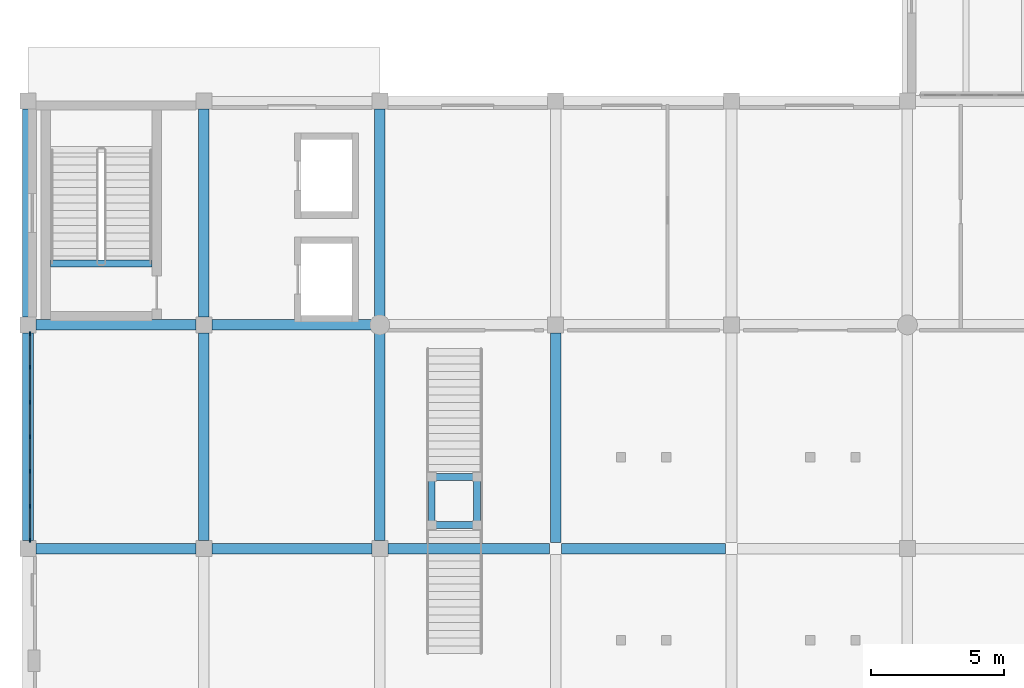
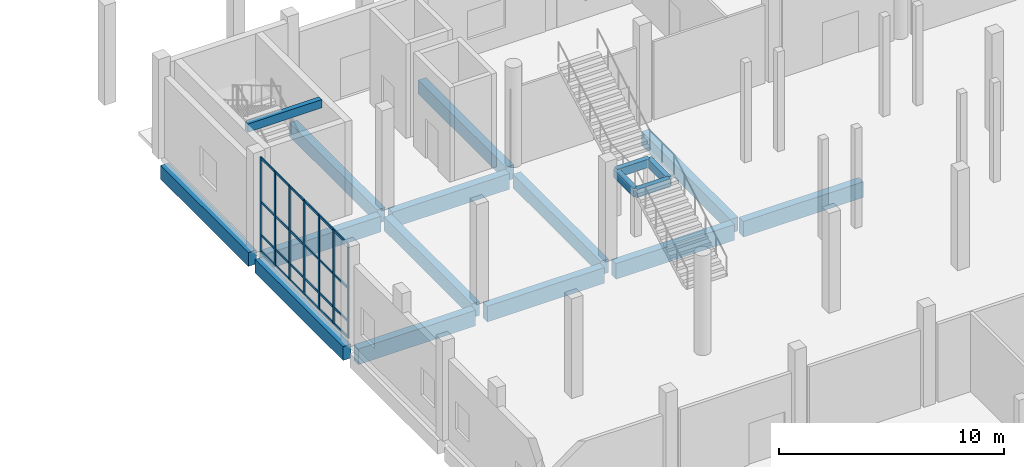
# One storey, part 6 of 64: 31 members, 18 beams, 1 element without a shape of its own.
"""IFC4 building model written with IfcOpenShell, lengths in metres."""

from ifc_helpers import new_model, si_unit, direction, frame, origin, origin_2d, place, context, subcontext, project, spatial, rectangle, extrude, material, material_profile, profile_set, type_object, element, aggregate, save


model = new_model("IFC4")

# Units and contexts
model_context = context("Model", 3, precision=1e-05, world=origin(), true_north=direction((0.0, 1.0)))
body_context = subcontext(model_context, "Body", "Model", "MODEL_VIEW")
ifc_project = project(units=[si_unit("LENGTHUNIT", "METRE"), si_unit("AREAUNIT", "SQUARE_METRE"), si_unit("VOLUMEUNIT", "CUBIC_METRE"), si_unit("PLANEANGLEUNIT", "RADIAN"), si_unit("MASSUNIT", "GRAM", prefix="KILO")], contexts=[model_context])

# Site, building, storey
site_placement = place(None, origin())
site = spatial("IfcSite", under=ifc_project, at=site_placement, CompositionType="ELEMENT")
building_placement = place(site_placement, origin())
building = spatial("IfcBuilding", under=site, at=building_placement, Name="Qaldarim Faculty of Natural and Applied Sciences", CompositionType="ELEMENT")
storey_placement = place(building_placement, origin())
storey = spatial("IfcBuildingStorey", under=building, at=storey_placement, Name="L00", CompositionType="ELEMENT", Elevation=0.0)

# Beams
ifc_material_1 = material(Name="Concrete C50/60", Category="concrete")
ifc_material_profile_1 = material_profile(ifc_material_1, rectangle(XDim=0.39990234375, YDim=0.75, at=origin_2d()), Name="RC-B400x750")
ifc_profile_set_1 = profile_set([ifc_material_profile_1], Name="Concrete C50/60")
beam_type_1 = type_object("IfcBeamType", Name="LabGirder-RC400x750", PredefinedType="BEAM", material=ifc_profile_set_1)
for number, where, z_axis, x_axis, name in (
    (1, (0.0, 67.5, -0.735107421875), (0.0, 1.0, 0.0), (-1.0, 0.0, 0.0), "Beam RC-B400x750 B01 X01/Y09-Y10"),
    (2, (0.0, 75.89990234375, -0.735107421875), (0.0, 1.0, 0.0), (-1.0, 0.0, 0.0), "Beam RC-B400x750 B01 X01/Y10-Y11"),
    (3, (6.60009765625, 67.5, -0.735107421875), (0.0, 1.0, 0.0), (-1.0, 0.0, 0.0), "Beam RC-B400x750 B01 X02/Y09-Y10"),
    (4, (6.60009765625, 75.89990234375, -0.735107421875), (0.0, 1.0, 0.0), (-1.0, 0.0, 0.0), "Beam RC-B400x750 B01 X02/Y10-Y11"),
    (5, (13.199951171875, 67.5, -0.735107421875), (0.0, 1.0, 0.0), (-1.0, 0.0, 0.0), "Beam RC-B400x750 B01 X03/Y09-Y10"),
    (6, (13.199951171875, 75.89990234375, -0.735107421875), (0.0, 1.0, 0.0), (-1.0, 0.0, 0.0), "Beam RC-B400x750 B01 X03/Y10-Y11"),
):
    element("IfcBeam", number, at=place(storey_placement, frame(where, z_axis=z_axis, x_axis=x_axis)), inside=storey, type_object=beam_type_1, Name=name, PredefinedType="BEAM", context=body_context, shape_type="SweptSolid", body=[
        extrude(rectangle(XDim=0.39990234375, YDim=0.75, at=origin_2d()), origin(), (0.0, 0.0, 1.0), 7.800048828125),
    ])
beam_1_placement = place(storey_placement, frame((19.800048828125, 67.425048828125, -0.735107421875), z_axis=(0.0, 1.0, 0.0), x_axis=(-1.0, 0.0, 0.0)))
element("IfcBeam", 7, at=beam_1_placement, inside=storey, type_object=beam_type_1, Name="Beam RC-B400x750 B01 X04/Y09-Y10", PredefinedType="BEAM", context=body_context, shape_type="SweptSolid", body=[
    extrude(rectangle(XDim=0.39990234375, YDim=0.75, at=origin_2d()), origin(), (0.0, 0.0, 1.0), 7.875),
])
ifc_material_2 = material(Name="Concrete C40/50", Category="concrete")
ifc_material_profile_2 = material_profile(ifc_material_2, rectangle(XDim=0.25, YDim=0.449951171875, at=origin_2d()), Name="RC-LN250x450")
ifc_profile_set_2 = profile_set([ifc_material_profile_2], Name="Concrete C40/50")
beam_type_2 = type_object("IfcBeamType", Name="LandingSupportBeam-RC250x450", PredefinedType="BEAM", material=ifc_profile_set_2)
beam_2_placement = place(storey_placement, frame((0.85009765625, 77.89990234375, 4.875), z_axis=(1.0, 0.0, 0.0), x_axis=(0.0, 1.0, 0.0)))
element("IfcBeam", 8, at=beam_2_placement, inside=storey, type_object=beam_type_2, Name="Stair arrival support beam ST-D2 L00", PredefinedType="BEAM", context=body_context, shape_type="SweptSolid", body=[
    extrude(rectangle(XDim=0.25, YDim=0.449951171875, at=origin_2d()), origin(), (0.0, 0.0, 1.0), 3.7998046875),
])
for number, where, z_axis, x_axis, name in (
    (9, (15.14990234375, 68.090087890625, 2.264892578125), (1.0, 0.0, 0.0), (0.0, 1.0, 0.0), "Open stair landing beam ST-AT1-L00 S"),
    (10, (15.14990234375, 69.889892578125, 2.264892578125), (1.0, 0.0, 0.0), (0.0, 1.0, 0.0), "Open stair landing beam ST-AT1-L00 N"),
):
    element("IfcBeam", number, at=place(storey_placement, frame(where, z_axis=z_axis, x_axis=x_axis)), inside=storey, type_object=beam_type_2, Name=name, PredefinedType="BEAM", context=body_context, shape_type="SweptSolid", body=[
        extrude(rectangle(XDim=0.25, YDim=0.449951171875, at=origin_2d()), origin(), (0.0, 0.0, 1.0), 1.7001953125),
    ])
for number, where, z_axis, x_axis, name in (
    (11, (15.14990234375, 68.090087890625, 2.264892578125), (0.0, 1.0, 0.0), (-1.0, 0.0, 0.0), "Open stair landing beam ST-AT1-L00 W"),
    (12, (16.85009765625, 68.090087890625, 2.264892578125), (0.0, 1.0, 0.0), (-1.0, 0.0, 0.0), "Open stair landing beam ST-AT1-L00 E"),
):
    element("IfcBeam", number, at=place(storey_placement, frame(where, z_axis=z_axis, x_axis=x_axis)), inside=storey, type_object=beam_type_2, Name=name, PredefinedType="BEAM", context=body_context, shape_type="SweptSolid", body=[
        extrude(rectangle(XDim=0.25, YDim=0.449951171875, at=origin_2d()), origin(), (0.0, 0.0, 1.0), 1.7998046875),
    ])

# Curtain wall, members
ifc_material_3 = material(Name="Anodised aluminium AW-6063", Category="aluminium")
curtain_wall_type = type_object("IfcCurtainWallType", Name="CurtainWallSystem-M1300", PredefinedType="USERDEFINED", material=ifc_material_3)
curtain_wall_placement = place(storey_placement, origin())
curtain_wall = element("IfcCurtainWall", 13, at=curtain_wall_placement, inside=storey, type_object=curtain_wall_type, Name="Curtain wall CW-L00-W-X01Y09", ObjectType="STICK CURTAIN WALL", PredefinedType="USERDEFINED")
ifc_material_profile_3 = material_profile(ifc_material_3, rectangle(XDim=0.06005859375, YDim=0.14990234375, at=origin_2d()), Name="ALU-M60x150")
ifc_profile_set_3 = profile_set([ifc_material_profile_3], Name="Anodised aluminium AW-6063")
member_type_1 = type_object("IfcMemberType", Name="Mullion-ALU60x150", PredefinedType="MULLION", material=ifc_profile_set_3)
member_1_placement = place(storey_placement, frame((0.080078125, 75.27490234375, 0.0), z_axis=(0.0, 0.0, 1.0), x_axis=(1.0, 0.0, 0.0)))
member_1 = element("IfcMember", 14, at=member_1_placement, type_object=member_type_1, Name="Mullion 1 of CW-L00-W-X01Y09", PredefinedType="MULLION", context=body_context, shape_type="SweptSolid", body=[
    extrude(rectangle(XDim=0.06005859375, YDim=0.14990234375, at=origin_2d()), origin(), (0.0, 0.0, 1.0), 5.10009765625),
])
member_2_placement = place(storey_placement, frame((0.080078125, 74.00341796875, 0.0), z_axis=(0.0, 0.0, 1.0), x_axis=(1.0, 0.0, 0.0)))
member_2 = element("IfcMember", 15, at=member_2_placement, type_object=member_type_1, Name="Mullion 2 of CW-L00-W-X01Y09", PredefinedType="MULLION", context=body_context, shape_type="SweptSolid", body=[
    extrude(rectangle(XDim=0.06005859375, YDim=0.14990234375, at=origin_2d()), origin(), (0.0, 0.0, 1.0), 5.10009765625),
])
member_3_placement = place(storey_placement, frame((0.080078125, 72.70166015625, 0.0), z_axis=(0.0, 0.0, 1.0), x_axis=(1.0, 0.0, 0.0)))
member_3 = element("IfcMember", 16, at=member_3_placement, type_object=member_type_1, Name="Mullion 3 of CW-L00-W-X01Y09", PredefinedType="MULLION", context=body_context, shape_type="SweptSolid", body=[
    extrude(rectangle(XDim=0.06005859375, YDim=0.14990234375, at=origin_2d()), origin(), (0.0, 0.0, 1.0), 5.10009765625),
])
member_4_placement = place(storey_placement, frame((0.080078125, 71.39990234375, 0.0), z_axis=(0.0, 0.0, 1.0), x_axis=(1.0, 0.0, 0.0)))
member_4 = element("IfcMember", 17, at=member_4_placement, type_object=member_type_1, Name="Mullion 4 of CW-L00-W-X01Y09", PredefinedType="MULLION", context=body_context, shape_type="SweptSolid", body=[
    extrude(rectangle(XDim=0.06005859375, YDim=0.14990234375, at=origin_2d()), origin(), (0.0, 0.0, 1.0), 5.10009765625),
])
member_5_placement = place(storey_placement, frame((0.080078125, 70.098388671875, 0.0), z_axis=(0.0, 0.0, 1.0), x_axis=(1.0, 0.0, 0.0)))
member_5 = element("IfcMember", 18, at=member_5_placement, type_object=member_type_1, Name="Mullion 5 of CW-L00-W-X01Y09", PredefinedType="MULLION", context=body_context, shape_type="SweptSolid", body=[
    extrude(rectangle(XDim=0.06005859375, YDim=0.14990234375, at=origin_2d()), origin(), (0.0, 0.0, 1.0), 5.10009765625),
])
member_6_placement = place(storey_placement, frame((0.080078125, 68.796630859375, 0.0), z_axis=(0.0, 0.0, 1.0), x_axis=(1.0, 0.0, 0.0)))
member_6 = element("IfcMember", 19, at=member_6_placement, type_object=member_type_1, Name="Mullion 6 of CW-L00-W-X01Y09", PredefinedType="MULLION", context=body_context, shape_type="SweptSolid", body=[
    extrude(rectangle(XDim=0.06005859375, YDim=0.14990234375, at=origin_2d()), origin(), (0.0, 0.0, 1.0), 5.10009765625),
])
member_7_placement = place(storey_placement, frame((0.080078125, 67.52490234375, 0.0), z_axis=(0.0, 0.0, 1.0), x_axis=(1.0, 0.0, 0.0)))
member_7 = element("IfcMember", 20, at=member_7_placement, type_object=member_type_1, Name="Mullion 7 of CW-L00-W-X01Y09", PredefinedType="MULLION", context=body_context, shape_type="SweptSolid", body=[
    extrude(rectangle(XDim=0.06005859375, YDim=0.14990234375, at=origin_2d()), origin(), (0.0, 0.0, 1.0), 5.10009765625),
])

# Beams
ifc_material_profile_4 = material_profile(ifc_material_1, rectangle(XDim=0.39990234375, YDim=0.85009765625, at=origin_2d()), Name="RC-B400x850")
ifc_profile_set_4 = profile_set([ifc_material_profile_4], Name="Concrete C50/60")
beam_type_3 = type_object("IfcBeamType", Name="PodiumGirder-RC400x850", PredefinedType="BEAM", material=ifc_profile_set_4)
for number, where, z_axis, x_axis, name in (
    (21, (0.300048828125, 67.199951171875, -0.784912109375), (1.0, 0.0, 0.0), (0.0, 1.0, 0.0), "Beam RC-B400x850 B01 X01-X02/Y09"),
    (22, (6.89990234375, 67.199951171875, -0.784912109375), (1.0, 0.0, 0.0), (0.0, 1.0, 0.0), "Beam RC-B400x850 B01 X02-X03/Y09"),
):
    element("IfcBeam", number, at=place(storey_placement, frame(where, z_axis=z_axis, x_axis=x_axis)), inside=storey, type_object=beam_type_3, Name=name, PredefinedType="BEAM", context=body_context, shape_type="SweptSolid", body=[
        extrude(rectangle(XDim=0.39990234375, YDim=0.85009765625, at=origin_2d()), origin(), (0.0, 0.0, 1.0), 6.0),
    ])
beam_3_placement = place(storey_placement, frame((13.5, 67.199951171875, -0.784912109375), z_axis=(1.0, 0.0, 0.0), x_axis=(0.0, 1.0, 0.0)))
element("IfcBeam", 23, at=beam_3_placement, inside=storey, type_object=beam_type_3, Name="Beam RC-B400x850 B01 X03-X04/Y09", PredefinedType="BEAM", context=body_context, shape_type="SweptSolid", body=[
    extrude(rectangle(XDim=0.39990234375, YDim=0.85009765625, at=origin_2d()), origin(), (0.0, 0.0, 1.0), 6.074951171875),
])
beam_4_placement = place(storey_placement, frame((20.02490234375, 67.199951171875, -0.784912109375), z_axis=(1.0, 0.0, 0.0), x_axis=(0.0, 1.0, 0.0)))
element("IfcBeam", 24, at=beam_4_placement, inside=storey, type_object=beam_type_3, Name="Beam RC-B400x850 B01 X04-X05/Y09", PredefinedType="BEAM", context=body_context, shape_type="SweptSolid", body=[
    extrude(rectangle(XDim=0.39990234375, YDim=0.85009765625, at=origin_2d()), origin(), (0.0, 0.0, 1.0), 6.150146484375),
])
for number, where, z_axis, x_axis, name in (
    (25, (0.300048828125, 75.60009765625, -0.784912109375), (1.0, 0.0, 0.0), (0.0, 1.0, 0.0), "Beam RC-B400x850 B01 X01-X02/Y10"),
    (26, (6.89990234375, 75.60009765625, -0.784912109375), (1.0, 0.0, 0.0), (0.0, 1.0, 0.0), "Beam RC-B400x850 B01 X02-X03/Y10"),
):
    element("IfcBeam", number, at=place(storey_placement, frame(where, z_axis=z_axis, x_axis=x_axis)), inside=storey, type_object=beam_type_3, Name=name, PredefinedType="BEAM", context=body_context, shape_type="SweptSolid", body=[
        extrude(rectangle(XDim=0.39990234375, YDim=0.85009765625, at=origin_2d()), origin(), (0.0, 0.0, 1.0), 6.0),
    ])

# Member
ifc_material_profile_5 = material_profile(ifc_material_3, rectangle(XDim=0.06005859375, YDim=0.1201171875, at=origin_2d()), Name="ALU-T60x120")
ifc_profile_set_5 = profile_set([ifc_material_profile_5], Name="Anodised aluminium AW-6063")
member_type_2 = type_object("IfcMemberType", Name="Transom-ALU60x120", PredefinedType="USERDEFINED", material=ifc_profile_set_5)
member_8_placement = place(storey_placement, frame((0.080078125, 75.2451171875, 0.030029296875), z_axis=(0.0, -1.0, 0.0), x_axis=(1.0, 0.0, 0.0)))
member_8 = element("IfcMember", 27, at=member_8_placement, type_object=member_type_2, Name="Transom 1-1 of CW-L00-W-X01Y09", ObjectType="TRANSOM", PredefinedType="USERDEFINED", context=body_context, shape_type="SweptSolid", body=[
    extrude(rectangle(XDim=0.06005859375, YDim=0.1201171875, at=origin_2d()), origin(), (0.0, 0.0, 1.0), 1.2119140625),
])

member_9_placement = place(storey_placement, frame((0.080078125, 75.2451171875, 0.89990234375), z_axis=(0.0, -1.0, 0.0), x_axis=(1.0, 0.0, 0.0)))
member_9 = element("IfcMember", 28, at=member_9_placement, type_object=member_type_2, Name="Transom 1-2 of CW-L00-W-X01Y09", ObjectType="TRANSOM", PredefinedType="USERDEFINED", context=body_context, shape_type="SweptSolid", body=[
    extrude(rectangle(XDim=0.06005859375, YDim=0.1201171875, at=origin_2d()), origin(), (0.0, 0.0, 1.0), 1.2119140625),
])

member_10_placement = place(storey_placement, frame((0.080078125, 75.2451171875, 2.699951171875), z_axis=(0.0, -1.0, 0.0), x_axis=(1.0, 0.0, 0.0)))
member_10 = element("IfcMember", 29, at=member_10_placement, type_object=member_type_2, Name="Transom 1-3 of CW-L00-W-X01Y09", ObjectType="TRANSOM", PredefinedType="USERDEFINED", context=body_context, shape_type="SweptSolid", body=[
    extrude(rectangle(XDim=0.06005859375, YDim=0.1201171875, at=origin_2d()), origin(), (0.0, 0.0, 1.0), 1.2119140625),
])

member_11_placement = place(storey_placement, frame((0.080078125, 75.2451171875, 5.070068359375), z_axis=(0.0, -1.0, 0.0), x_axis=(1.0, 0.0, 0.0)))
member_11 = element("IfcMember", 30, at=member_11_placement, type_object=member_type_2, Name="Transom 1-4 of CW-L00-W-X01Y09", ObjectType="TRANSOM", PredefinedType="USERDEFINED", context=body_context, shape_type="SweptSolid", body=[
    extrude(rectangle(XDim=0.06005859375, YDim=0.1201171875, at=origin_2d()), origin(), (0.0, 0.0, 1.0), 1.2119140625),
])

member_12_placement = place(storey_placement, frame((0.080078125, 73.973388671875, 0.030029296875), z_axis=(0.0, -1.0, 0.0), x_axis=(1.0, 0.0, 0.0)))
member_12 = element("IfcMember", 31, at=member_12_placement, type_object=member_type_2, Name="Transom 2-1 of CW-L00-W-X01Y09", ObjectType="TRANSOM", PredefinedType="USERDEFINED", context=body_context, shape_type="SweptSolid", body=[
    extrude(rectangle(XDim=0.06005859375, YDim=0.1201171875, at=origin_2d()), origin(), (0.0, 0.0, 1.0), 1.24169921875),
])

member_13_placement = place(storey_placement, frame((0.080078125, 73.973388671875, 0.89990234375), z_axis=(0.0, -1.0, 0.0), x_axis=(1.0, 0.0, 0.0)))
member_13 = element("IfcMember", 32, at=member_13_placement, type_object=member_type_2, Name="Transom 2-2 of CW-L00-W-X01Y09", ObjectType="TRANSOM", PredefinedType="USERDEFINED", context=body_context, shape_type="SweptSolid", body=[
    extrude(rectangle(XDim=0.06005859375, YDim=0.1201171875, at=origin_2d()), origin(), (0.0, 0.0, 1.0), 1.24169921875),
])

member_14_placement = place(storey_placement, frame((0.080078125, 73.973388671875, 2.699951171875), z_axis=(0.0, -1.0, 0.0), x_axis=(1.0, 0.0, 0.0)))
member_14 = element("IfcMember", 33, at=member_14_placement, type_object=member_type_2, Name="Transom 2-3 of CW-L00-W-X01Y09", ObjectType="TRANSOM", PredefinedType="USERDEFINED", context=body_context, shape_type="SweptSolid", body=[
    extrude(rectangle(XDim=0.06005859375, YDim=0.1201171875, at=origin_2d()), origin(), (0.0, 0.0, 1.0), 1.24169921875),
])

member_15_placement = place(storey_placement, frame((0.080078125, 73.973388671875, 5.070068359375), z_axis=(0.0, -1.0, 0.0), x_axis=(1.0, 0.0, 0.0)))
member_15 = element("IfcMember", 34, at=member_15_placement, type_object=member_type_2, Name="Transom 2-4 of CW-L00-W-X01Y09", ObjectType="TRANSOM", PredefinedType="USERDEFINED", context=body_context, shape_type="SweptSolid", body=[
    extrude(rectangle(XDim=0.06005859375, YDim=0.1201171875, at=origin_2d()), origin(), (0.0, 0.0, 1.0), 1.24169921875),
])

member_16_placement = place(storey_placement, frame((0.080078125, 72.671630859375, 0.030029296875), z_axis=(0.0, -1.0, 0.0), x_axis=(1.0, 0.0, 0.0)))
member_16 = element("IfcMember", 35, at=member_16_placement, type_object=member_type_2, Name="Transom 3-1 of CW-L00-W-X01Y09", ObjectType="TRANSOM", PredefinedType="USERDEFINED", context=body_context, shape_type="SweptSolid", body=[
    extrude(rectangle(XDim=0.06005859375, YDim=0.1201171875, at=origin_2d()), origin(), (0.0, 0.0, 1.0), 1.24169921875),
])

member_17_placement = place(storey_placement, frame((0.080078125, 72.671630859375, 0.89990234375), z_axis=(0.0, -1.0, 0.0), x_axis=(1.0, 0.0, 0.0)))
member_17 = element("IfcMember", 36, at=member_17_placement, type_object=member_type_2, Name="Transom 3-2 of CW-L00-W-X01Y09", ObjectType="TRANSOM", PredefinedType="USERDEFINED", context=body_context, shape_type="SweptSolid", body=[
    extrude(rectangle(XDim=0.06005859375, YDim=0.1201171875, at=origin_2d()), origin(), (0.0, 0.0, 1.0), 1.24169921875),
])

member_18_placement = place(storey_placement, frame((0.080078125, 72.671630859375, 2.699951171875), z_axis=(0.0, -1.0, 0.0), x_axis=(1.0, 0.0, 0.0)))
member_18 = element("IfcMember", 37, at=member_18_placement, type_object=member_type_2, Name="Transom 3-3 of CW-L00-W-X01Y09", ObjectType="TRANSOM", PredefinedType="USERDEFINED", context=body_context, shape_type="SweptSolid", body=[
    extrude(rectangle(XDim=0.06005859375, YDim=0.1201171875, at=origin_2d()), origin(), (0.0, 0.0, 1.0), 1.24169921875),
])

member_19_placement = place(storey_placement, frame((0.080078125, 72.671630859375, 5.070068359375), z_axis=(0.0, -1.0, 0.0), x_axis=(1.0, 0.0, 0.0)))
member_19 = element("IfcMember", 38, at=member_19_placement, type_object=member_type_2, Name="Transom 3-4 of CW-L00-W-X01Y09", ObjectType="TRANSOM", PredefinedType="USERDEFINED", context=body_context, shape_type="SweptSolid", body=[
    extrude(rectangle(XDim=0.06005859375, YDim=0.1201171875, at=origin_2d()), origin(), (0.0, 0.0, 1.0), 1.24169921875),
])

member_20_placement = place(storey_placement, frame((0.080078125, 71.3701171875, 0.030029296875), z_axis=(0.0, -1.0, 0.0), x_axis=(1.0, 0.0, 0.0)))
member_20 = element("IfcMember", 39, at=member_20_placement, type_object=member_type_2, Name="Transom 4-1 of CW-L00-W-X01Y09", ObjectType="TRANSOM", PredefinedType="USERDEFINED", context=body_context, shape_type="SweptSolid", body=[
    extrude(rectangle(XDim=0.06005859375, YDim=0.1201171875, at=origin_2d()), origin(), (0.0, 0.0, 1.0), 1.24169921875),
])

member_21_placement = place(storey_placement, frame((0.080078125, 71.3701171875, 0.89990234375), z_axis=(0.0, -1.0, 0.0), x_axis=(1.0, 0.0, 0.0)))
member_21 = element("IfcMember", 40, at=member_21_placement, type_object=member_type_2, Name="Transom 4-2 of CW-L00-W-X01Y09", ObjectType="TRANSOM", PredefinedType="USERDEFINED", context=body_context, shape_type="SweptSolid", body=[
    extrude(rectangle(XDim=0.06005859375, YDim=0.1201171875, at=origin_2d()), origin(), (0.0, 0.0, 1.0), 1.24169921875),
])

member_22_placement = place(storey_placement, frame((0.080078125, 71.3701171875, 2.699951171875), z_axis=(0.0, -1.0, 0.0), x_axis=(1.0, 0.0, 0.0)))
member_22 = element("IfcMember", 41, at=member_22_placement, type_object=member_type_2, Name="Transom 4-3 of CW-L00-W-X01Y09", ObjectType="TRANSOM", PredefinedType="USERDEFINED", context=body_context, shape_type="SweptSolid", body=[
    extrude(rectangle(XDim=0.06005859375, YDim=0.1201171875, at=origin_2d()), origin(), (0.0, 0.0, 1.0), 1.24169921875),
])

member_23_placement = place(storey_placement, frame((0.080078125, 71.3701171875, 5.070068359375), z_axis=(0.0, -1.0, 0.0), x_axis=(1.0, 0.0, 0.0)))
member_23 = element("IfcMember", 42, at=member_23_placement, type_object=member_type_2, Name="Transom 4-4 of CW-L00-W-X01Y09", ObjectType="TRANSOM", PredefinedType="USERDEFINED", context=body_context, shape_type="SweptSolid", body=[
    extrude(rectangle(XDim=0.06005859375, YDim=0.1201171875, at=origin_2d()), origin(), (0.0, 0.0, 1.0), 1.24169921875),
])

member_24_placement = place(storey_placement, frame((0.080078125, 70.068359375, 0.030029296875), z_axis=(0.0, -1.0, 0.0), x_axis=(1.0, 0.0, 0.0)))
member_24 = element("IfcMember", 43, at=member_24_placement, type_object=member_type_2, Name="Transom 5-1 of CW-L00-W-X01Y09", ObjectType="TRANSOM", PredefinedType="USERDEFINED", context=body_context, shape_type="SweptSolid", body=[
    extrude(rectangle(XDim=0.06005859375, YDim=0.1201171875, at=origin_2d()), origin(), (0.0, 0.0, 1.0), 1.24169921875),
])

member_25_placement = place(storey_placement, frame((0.080078125, 70.068359375, 0.89990234375), z_axis=(0.0, -1.0, 0.0), x_axis=(1.0, 0.0, 0.0)))
member_25 = element("IfcMember", 44, at=member_25_placement, type_object=member_type_2, Name="Transom 5-2 of CW-L00-W-X01Y09", ObjectType="TRANSOM", PredefinedType="USERDEFINED", context=body_context, shape_type="SweptSolid", body=[
    extrude(rectangle(XDim=0.06005859375, YDim=0.1201171875, at=origin_2d()), origin(), (0.0, 0.0, 1.0), 1.24169921875),
])

member_26_placement = place(storey_placement, frame((0.080078125, 70.068359375, 2.699951171875), z_axis=(0.0, -1.0, 0.0), x_axis=(1.0, 0.0, 0.0)))
member_26 = element("IfcMember", 45, at=member_26_placement, type_object=member_type_2, Name="Transom 5-3 of CW-L00-W-X01Y09", ObjectType="TRANSOM", PredefinedType="USERDEFINED", context=body_context, shape_type="SweptSolid", body=[
    extrude(rectangle(XDim=0.06005859375, YDim=0.1201171875, at=origin_2d()), origin(), (0.0, 0.0, 1.0), 1.24169921875),
])

member_27_placement = place(storey_placement, frame((0.080078125, 70.068359375, 5.070068359375), z_axis=(0.0, -1.0, 0.0), x_axis=(1.0, 0.0, 0.0)))
member_27 = element("IfcMember", 46, at=member_27_placement, type_object=member_type_2, Name="Transom 5-4 of CW-L00-W-X01Y09", ObjectType="TRANSOM", PredefinedType="USERDEFINED", context=body_context, shape_type="SweptSolid", body=[
    extrude(rectangle(XDim=0.06005859375, YDim=0.1201171875, at=origin_2d()), origin(), (0.0, 0.0, 1.0), 1.24169921875),
])

member_28_placement = place(storey_placement, frame((0.080078125, 68.7666015625, 0.030029296875), z_axis=(0.0, -1.0, 0.0), x_axis=(1.0, 0.0, 0.0)))
member_28 = element("IfcMember", 47, at=member_28_placement, type_object=member_type_2, Name="Transom 6-1 of CW-L00-W-X01Y09", ObjectType="TRANSOM", PredefinedType="USERDEFINED", context=body_context, shape_type="SweptSolid", body=[
    extrude(rectangle(XDim=0.06005859375, YDim=0.1201171875, at=origin_2d()), origin(), (0.0, 0.0, 1.0), 1.211669921875),
])

member_29_placement = place(storey_placement, frame((0.080078125, 68.7666015625, 0.89990234375), z_axis=(0.0, -1.0, 0.0), x_axis=(1.0, 0.0, 0.0)))
member_29 = element("IfcMember", 48, at=member_29_placement, type_object=member_type_2, Name="Transom 6-2 of CW-L00-W-X01Y09", ObjectType="TRANSOM", PredefinedType="USERDEFINED", context=body_context, shape_type="SweptSolid", body=[
    extrude(rectangle(XDim=0.06005859375, YDim=0.1201171875, at=origin_2d()), origin(), (0.0, 0.0, 1.0), 1.211669921875),
])

member_30_placement = place(storey_placement, frame((0.080078125, 68.7666015625, 2.699951171875), z_axis=(0.0, -1.0, 0.0), x_axis=(1.0, 0.0, 0.0)))
member_30 = element("IfcMember", 49, at=member_30_placement, type_object=member_type_2, Name="Transom 6-3 of CW-L00-W-X01Y09", ObjectType="TRANSOM", PredefinedType="USERDEFINED", context=body_context, shape_type="SweptSolid", body=[
    extrude(rectangle(XDim=0.06005859375, YDim=0.1201171875, at=origin_2d()), origin(), (0.0, 0.0, 1.0), 1.211669921875),
])

member_31_placement = place(storey_placement, frame((0.080078125, 68.7666015625, 5.070068359375), z_axis=(0.0, -1.0, 0.0), x_axis=(1.0, 0.0, 0.0)))
member_31 = element("IfcMember", 50, at=member_31_placement, type_object=member_type_2, Name="Transom 6-4 of CW-L00-W-X01Y09", ObjectType="TRANSOM", PredefinedType="USERDEFINED", context=body_context, shape_type="SweptSolid", body=[
    extrude(rectangle(XDim=0.06005859375, YDim=0.1201171875, at=origin_2d()), origin(), (0.0, 0.0, 1.0), 1.211669921875),
])

aggregate(curtain_wall, [member_1, member_2, member_3, member_4, member_5, member_6, member_7, member_8, member_9, member_10, member_11, member_12, member_13, member_14, member_15, member_16, member_17, member_18, member_19, member_20, member_21, member_22, member_23, member_24, member_25, member_26, member_27, member_28, member_29, member_30, member_31])

save(model, "model.ifc")
